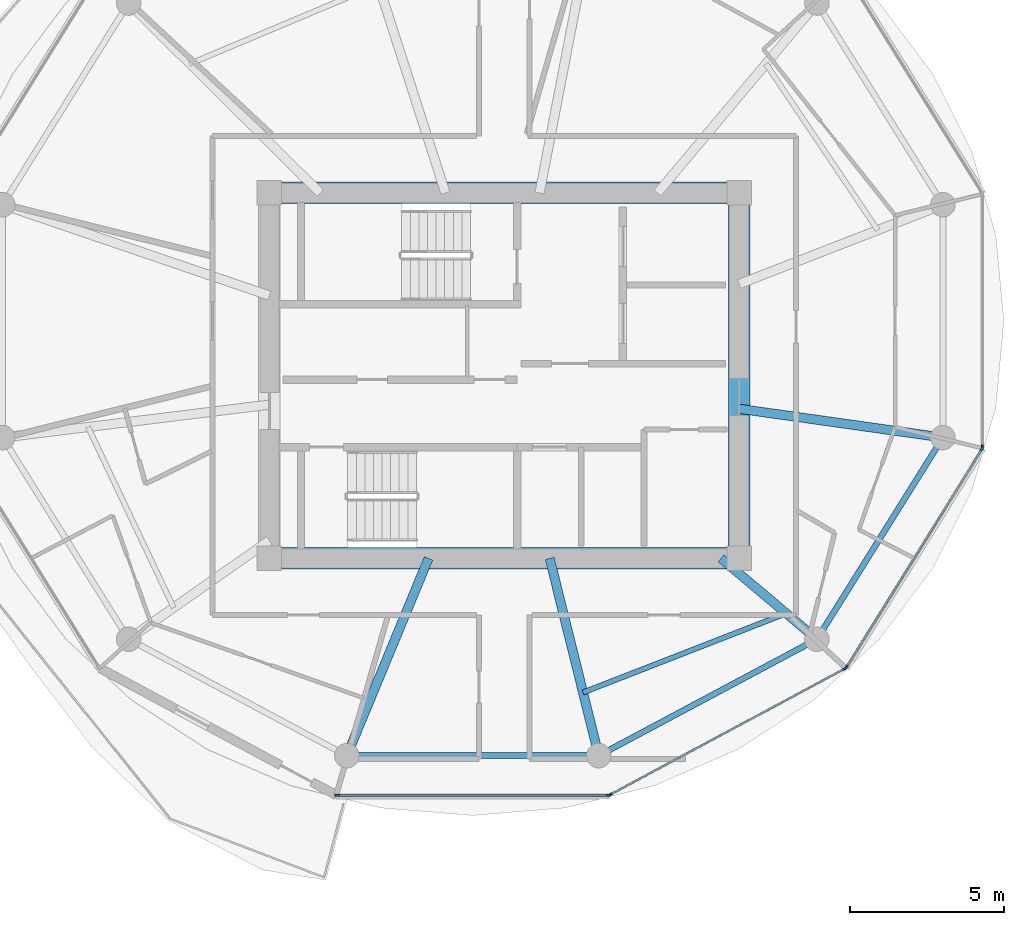
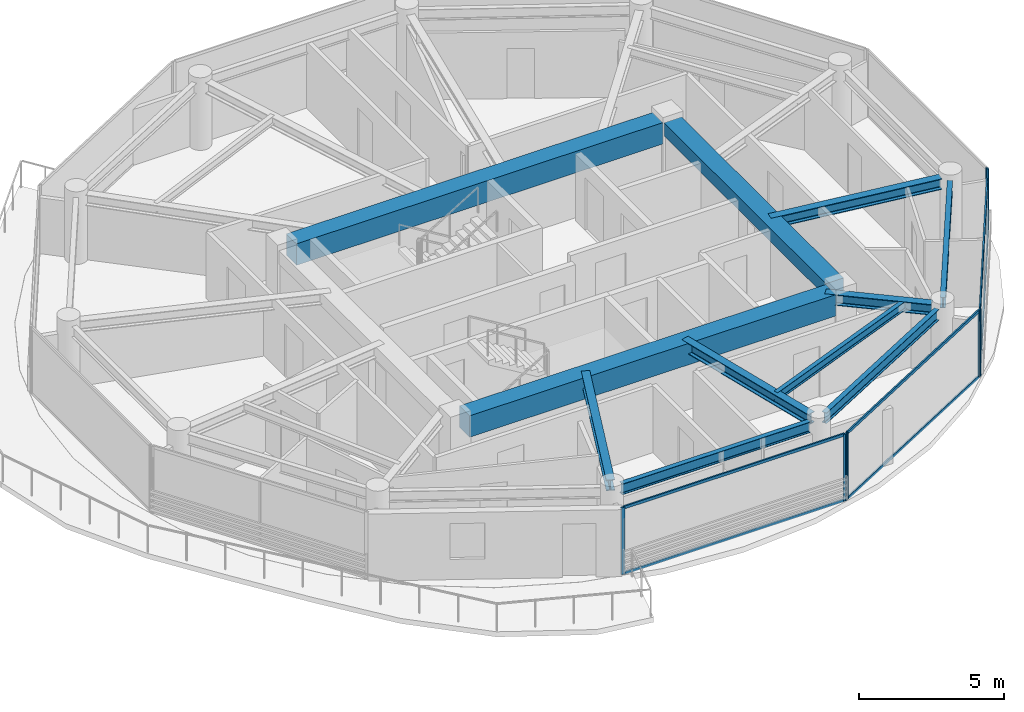
# One storey, part 10 of 22: 13 members, 11 beams, 4 elements without a shape of their own.
"""IFC4 building model written with IfcOpenShell, lengths in metres."""

from ifc_helpers import new_model, si_unit, direction, frame, origin, origin_2d, place, context, subcontext, project, spatial, rectangle, i_section, extrude, source, transform, mapped, material, layer, layer_set, material_profile, profile_set, type_object, type_shapes, element, aggregate, save


model = new_model("IFC4")

# Units and contexts
model_context = context("Model", 3, precision=1e-05, world=origin(), true_north=direction((0.0, 1.0)))
body_context = subcontext(model_context, "Body", "Model", "MODEL_VIEW")
ifc_project = project(units=[si_unit("LENGTHUNIT", "METRE"), si_unit("AREAUNIT", "SQUARE_METRE"), si_unit("VOLUMEUNIT", "CUBIC_METRE"), si_unit("PLANEANGLEUNIT", "RADIAN"), si_unit("MASSUNIT", "GRAM", prefix="KILO")], contexts=[model_context])

# Site, building, storey
site_placement = place(None, origin())
site = spatial("IfcSite", under=ifc_project, at=site_placement, CompositionType="ELEMENT")
building_placement = place(site_placement, origin())
building = spatial("IfcBuilding", under=site, at=building_placement, Name="Norrkilde Senior Care Towers", CompositionType="ELEMENT")
storey_placement = place(building_placement, frame((0.0, 0.0, 137.35009765625)))
storey = spatial("IfcBuildingStorey", under=building, at=storey_placement, Name="L42", CompositionType="ELEMENT", Elevation=137.35009765625)

# Beams
ifc_material_1 = material(Name="Concrete C60/75", Category="concrete")
ifc_material_profile_1 = material_profile(ifc_material_1, rectangle(XDim=0.699951171875, YDim=0.89990234375, at=origin_2d()), Name="RC BM 700x900")
ifc_profile_set_1 = profile_set([ifc_material_profile_1], Name="Concrete C60/75")
beam_type_1 = type_object("IfcBeamType", Name="Core Coupling Girder 700x900", PredefinedType="USERDEFINED", material=ifc_profile_set_1)
shared_shape_1 = source(origin(), body_context, "Body", "SweptSolid", [
    extrude(rectangle(XDim=0.699951171875, YDim=0.89990234375, at=origin_2d()), origin(), (0.0, 0.0, 1.0), 14.5400390625),
])
type_shapes(beam_type_1, [shared_shape_1])
for number, where, z_axis, x_axis, name in (
    (1, (20.72998046875, 5.949951171875, 2.35986328125), (1.0, 0.0, 0.0), (0.0, 1.0, 0.0), "L42 Core E N Coupling Girder"),
    (2, (20.72998046875, -5.949951171875, 2.35986328125), (1.0, 0.0, 0.0), (0.0, 1.0, 0.0), "L42 Core E S Coupling Girder"),
):
    element("IfcBeam", number, at=place(storey_placement, frame(where, z_axis=z_axis, x_axis=x_axis)), inside=storey, type_object=beam_type_1, Name=name, ObjectType="GIRDER", PredefinedType="USERDEFINED", context=body_context, shape_type="MappedRepresentation", body=[
        mapped(shared_shape_1, transform((0.0, 0.0, 0.0), x_axis=(1.0, 0.0, 0.0), y_axis=(0.0, 1.0, 0.0), z_axis=(0.0, 0.0, 1.0), scale=1.0)),
    ])
ifc_material_profile_2 = material_profile(ifc_material_1, rectangle(XDim=0.699951171875, YDim=0.550048828125, at=origin_2d()), Name="RC BM 700x550")
ifc_profile_set_2 = profile_set([ifc_material_profile_2], Name="Concrete C60/75")
beam_type_2 = type_object("IfcBeamType", Name="Core Portal Coupling Beam 700x550", PredefinedType="USERDEFINED", material=ifc_profile_set_2)
shared_shape_2 = source(origin(), body_context, "Body", "SweptSolid", [
    extrude(rectangle(XDim=0.699951171875, YDim=0.550048828125, at=origin_2d()), origin(), (0.0, 0.0, 1.0), 11.14013671875),
])
type_shapes(beam_type_2, [shared_shape_2])
beam_1_placement = place(storey_placement, frame((35.64990234375, -5.570068359375, 2.534912109375), z_axis=(0.0, 1.0, 0.0), x_axis=(-1.0, 0.0, 0.0)))
element("IfcBeam", 3, at=beam_1_placement, inside=storey, type_object=beam_type_2, Name="L42 Core E E Coupling Girder", ObjectType="GIRDER", PredefinedType="USERDEFINED", context=body_context, shape_type="MappedRepresentation", body=[
    mapped(shared_shape_2, transform((0.0, 0.0, 0.0), x_axis=(1.0, 0.0, 0.0), y_axis=(0.0, 1.0, 0.0), z_axis=(0.0, 0.0, 1.0), scale=1.0)),
])
ifc_material_2 = material(Name="Steel S355", Category="steel")
ifc_material_profile_3 = material_profile(ifc_material_2, i_section(OverallWidth=0.18994140625, OverallDepth=0.449951171875, WebThickness=0.009521484375, FlangeThickness=0.0146484375, FilletRadius=0.02099609375, at=origin_2d()), Name="IPE 450")
ifc_profile_set_3 = profile_set([ifc_material_profile_3], Name="Steel S355")
beam_type_3 = type_object("IfcBeamType", Name="Perimeter Ring Spandrel Z3 IPE450", PredefinedType="SPANDREL", material=ifc_profile_set_3)
shared_shape_3 = source(origin(), body_context, "Body", "SweptSolid", [
    extrude(i_section(OverallWidth=0.18994140625, OverallDepth=0.449951171875, WebThickness=0.009521484375, FlangeThickness=0.0146484375, FilletRadius=0.02099609375, at=origin_2d()), origin(), (0.0, 0.0, 1.0), 7.484619140625),
])
beam_2_placement = place(storey_placement, frame((23.232666015625, -12.37548828125, 2.5849609375), z_axis=(1.0, 0.0, 0.0), x_axis=(0.0, 1.0, 0.0)))
element("IfcBeam", 4, at=beam_2_placement, inside=storey, type_object=beam_type_3, Name="L42 Drum E Perimeter Spandrel 09", PredefinedType="SPANDREL", context=body_context, shape_type="MappedRepresentation", body=[
    mapped(shared_shape_3, transform((0.0, 0.0, 0.0), x_axis=(1.0, 0.0, 0.0), y_axis=(0.0, 1.0, 0.0), z_axis=(0.0, 0.0, 1.0), scale=1.0)),
])
shared_shape_4 = source(origin(), body_context, "Body", "SweptSolid", [
    extrude(i_section(OverallWidth=0.18994140625, OverallDepth=0.449951171875, WebThickness=0.009521484375, FlangeThickness=0.0146484375, FilletRadius=0.02099609375, at=origin_2d()), origin(), (0.0, 0.0, 1.0), 7.023193359375),
])
beam_3_placement = place(storey_placement, frame((38.373291015625, -8.2783203125, 2.5849609375), z_axis=(0.529805197269, 0.848119362441, 0.0), x_axis=(-0.848119362441, 0.529805197269, 0.0)))
element("IfcBeam", 5, at=beam_3_placement, inside=storey, type_object=beam_type_3, Name="L42 Drum E Perimeter Spandrel 11", PredefinedType="SPANDREL", context=body_context, shape_type="MappedRepresentation", body=[
    mapped(shared_shape_4, transform((0.0, 0.0, 0.0), x_axis=(1.0, 0.0, 0.0), y_axis=(0.0, 1.0, 0.0), z_axis=(0.0, 0.0, 1.0), scale=1.0)),
])
ifc_material_profile_4 = material_profile(ifc_material_2, i_section(OverallWidth=0.300048828125, OverallDepth=0.449951171875, WebThickness=0.013916015625, FlangeThickness=0.02587890625, FilletRadius=0.027099609375, at=origin_2d()), Name="HEB 450")
ifc_profile_set_4 = profile_set([ifc_material_profile_4], Name="Steel S355")
beam_type_4 = type_object("IfcBeamType", Name="Radial Floor Beam Z3 HEB450", PredefinedType="BEAM", material=ifc_profile_set_4)
shared_shape_5 = source(origin(), body_context, "Body", "SweptSolid", [
    extrude(i_section(OverallWidth=0.300048828125, OverallDepth=0.449951171875, WebThickness=0.013916015625, FlangeThickness=0.02587890625, FilletRadius=0.027099609375, at=origin_2d()), origin(), (0.0, 0.0, 1.0), 6.3408203125),
])
beam_4_placement = place(storey_placement, frame((35.64990234375, -1.079833984375, 2.5849609375), z_axis=(0.990184519576, -0.139766294905, 0.0), x_axis=(0.139766294905, 0.990184519576, 0.0)))
element("IfcBeam", 6, at=beam_4_placement, inside=storey, type_object=beam_type_4, Name="L42 Drum E Radial Floor Beam 12", PredefinedType="BEAM", context=body_context, shape_type="MappedRepresentation", body=[
    mapped(shared_shape_5, transform((0.0, 0.0, 0.0), x_axis=(1.0, 0.0, 0.0), y_axis=(0.0, 1.0, 0.0), z_axis=(0.0, 0.0, 1.0), scale=1.0)),
])
shared_shape_6 = source(origin(), body_context, "Body", "SweptSolid", [
    extrude(i_section(OverallWidth=0.18994140625, OverallDepth=0.449951171875, WebThickness=0.009521484375, FlangeThickness=0.0146484375, FilletRadius=0.02099609375, at=origin_2d()), origin(), (0.0, 0.0, 1.0), 7.333984375),
])
type_shapes(beam_type_3, [shared_shape_3, shared_shape_4, shared_shape_6])
beam_5_placement = place(storey_placement, frame((31.394775390625, -12.2060546875, 2.5849609375), z_axis=(0.882234038987, 0.470811109101, 0.0), x_axis=(-0.470811109101, 0.882234038987, 0.0)))
element("IfcBeam", 7, at=beam_5_placement, inside=storey, type_object=beam_type_3, Name="L42 Drum E Perimeter Spandrel 10", PredefinedType="SPANDREL", context=body_context, shape_type="MappedRepresentation", body=[
    mapped(shared_shape_6, transform((0.0, 0.0, 0.0), x_axis=(1.0, 0.0, 0.0), y_axis=(0.0, 1.0, 0.0), z_axis=(0.0, 0.0, 1.0), scale=1.0)),
])
shared_shape_7 = source(origin(), body_context, "Body", "SweptSolid", [
    extrude(i_section(OverallWidth=0.300048828125, OverallDepth=0.449951171875, WebThickness=0.013916015625, FlangeThickness=0.02587890625, FilletRadius=0.027099609375, at=origin_2d()), origin(), (0.0, 0.0, 1.0), 3.7265625),
])
beam_6_placement = place(storey_placement, frame((35.058349609375, -5.949951171875, 2.5849609375), z_axis=(0.764567902106, -0.644543189453, 0.0), x_axis=(0.644543189453, 0.764567902106, 0.0)))
element("IfcBeam", 8, at=beam_6_placement, inside=storey, type_object=beam_type_4, Name="L42 Drum E Radial Floor Beam 11", PredefinedType="BEAM", context=body_context, shape_type="MappedRepresentation", body=[
    mapped(shared_shape_7, transform((0.0, 0.0, 0.0), x_axis=(1.0, 0.0, 0.0), y_axis=(0.0, 1.0, 0.0), z_axis=(0.0, 0.0, 1.0), scale=1.0)),
])
shared_shape_8 = source(origin(), body_context, "Body", "SweptSolid", [
    extrude(i_section(OverallWidth=0.300048828125, OverallDepth=0.449951171875, WebThickness=0.013916015625, FlangeThickness=0.02587890625, FilletRadius=0.027099609375, at=origin_2d()), origin(), (0.0, 0.0, 1.0), 6.26123046875),
])
beam_7_placement = place(storey_placement, frame((29.4794921875, -5.949951171875, 2.5849609375), z_axis=(0.241324375921, -0.970444509277, 0.0), x_axis=(0.970444509277, 0.241324375921, 0.0)))
element("IfcBeam", 9, at=beam_7_placement, inside=storey, type_object=beam_type_4, Name="L42 Drum E Radial Floor Beam 10", PredefinedType="BEAM", context=body_context, shape_type="MappedRepresentation", body=[
    mapped(shared_shape_8, transform((0.0, 0.0, 0.0), x_axis=(1.0, 0.0, 0.0), y_axis=(0.0, 1.0, 0.0), z_axis=(0.0, 0.0, 1.0), scale=1.0)),
])
shared_shape_9 = source(origin(), body_context, "Body", "SweptSolid", [
    extrude(i_section(OverallWidth=0.300048828125, OverallDepth=0.449951171875, WebThickness=0.013916015625, FlangeThickness=0.02587890625, FilletRadius=0.027099609375, at=origin_2d()), origin(), (0.0, 0.0, 1.0), 6.59521484375),
])
type_shapes(beam_type_4, [shared_shape_5, shared_shape_7, shared_shape_8, shared_shape_9])
beam_8_placement = place(storey_placement, frame((25.534912109375, -5.949951171875, 2.5849609375), z_axis=(-0.382761541363, -0.923847174836, 0.0), x_axis=(0.923847174836, -0.382761541363, 0.0)))
element("IfcBeam", 10, at=beam_8_placement, inside=storey, type_object=beam_type_4, Name="L42 Drum E Radial Floor Beam 09", PredefinedType="BEAM", context=body_context, shape_type="MappedRepresentation", body=[
    mapped(shared_shape_9, transform((0.0, 0.0, 0.0), x_axis=(1.0, 0.0, 0.0), y_axis=(0.0, 1.0, 0.0), z_axis=(0.0, 0.0, 1.0), scale=1.0)),
])
ifc_material_profile_5 = material_profile(ifc_material_2, i_section(OverallWidth=0.169921875, OverallDepth=0.360107421875, WebThickness=0.008056640625, FlangeThickness=0.0126953125, FilletRadius=0.01806640625, at=origin_2d()), Name="IPE 360")
ifc_profile_set_5 = profile_set([ifc_material_profile_5], Name="Steel S355")
beam_type_5 = type_object("IfcBeamType", Name="Secondary Floor Joist IPE360", PredefinedType="JOIST", material=ifc_profile_set_5)
shared_shape_10 = source(origin(), body_context, "Body", "SweptSolid", [
    extrude(i_section(OverallWidth=0.169921875, OverallDepth=0.360107421875, WebThickness=0.008056640625, FlangeThickness=0.0126953125, FilletRadius=0.01806640625, at=origin_2d()), origin(), (0.0, 0.0, 1.0), 7.1015625),
])
type_shapes(beam_type_5, [shared_shape_10])
beam_9_placement = place(storey_placement, frame((30.56591796875, -10.3193359375, 2.6298828125), z_axis=(0.931761231292, 0.363071629106, 0.0), x_axis=(-0.363071629106, 0.931761231292, 0.0)))
element("IfcBeam", 11, at=beam_9_placement, inside=storey, type_object=beam_type_5, Name="L42 Drum E Secondary Floor Joist 4", PredefinedType="JOIST", context=body_context, shape_type="MappedRepresentation", body=[
    mapped(shared_shape_10, transform((0.0, 0.0, 0.0), x_axis=(1.0, 0.0, 0.0), y_axis=(0.0, 1.0, 0.0), z_axis=(0.0, 0.0, 1.0), scale=1.0)),
])

# Curtain wall, members
ifc_material_3 = material(Name="Triple Low-E Insulated Glazing", Category="glass")
ifc_layer = layer(ifc_material_3, 0.18994140625)
ifc_layer_set = layer_set([ifc_layer], Name="Triple Low-E Insulated Glazing")
curtain_wall_type = type_object("IfcCurtainWallType", Name="CW4 Zone 3 Senior Residence Curtain Wall", PredefinedType="NOTDEFINED", material=ifc_layer_set)
curtain_wall_1_placement = place(storey_placement, origin())
curtain_wall_1 = element("IfcCurtainWall", 12, at=curtain_wall_1_placement, inside=storey, type_object=curtain_wall_type, Name="L42 Drum E Curtain Wall 10", PredefinedType="NOTDEFINED")
ifc_material_4 = material(Name="Anodised Aluminium", Category="aluminium")
ifc_material_profile_6 = material_profile(ifc_material_4, rectangle(XDim=0.06005859375, YDim=0.1201171875, at=origin_2d()), Name="ALU TRAN 60x120")
ifc_profile_set_6 = profile_set([ifc_material_profile_6], Name="Anodised Aluminium")
member_type_1 = type_object("IfcMemberType", Name="Curtain Wall Transom Typical 60x120", PredefinedType="USERDEFINED", material=ifc_profile_set_6)
shared_shape_11 = source(origin(), body_context, "Body", "SweptSolid", [
    extrude(rectangle(XDim=0.06005859375, YDim=0.1201171875, at=origin_2d()), origin(), (0.0, 0.0, 1.0), 8.301513671875),
])
member_1_placement = place(storey_placement, frame((43.535400390625, -2.415771484375, 0.02978515625), z_axis=(-0.527368718394, -0.849636531029, 0.0), x_axis=(0.849636531029, -0.527368718394, 0.0)))
member_1 = element("IfcMember", 13, at=member_1_placement, type_object=member_type_1, Name="CW-4 transom 1.1", ObjectType="TRANSOM", PredefinedType="USERDEFINED", context=body_context, shape_type="MappedRepresentation", body=[
    mapped(shared_shape_11, transform((0.0, 0.0, 0.0), x_axis=(1.0, 0.0, 0.0), y_axis=(0.0, 1.0, 0.0), z_axis=(0.0, 0.0, 1.0), scale=1.0)),
])
member_2_placement = place(storey_placement, frame((43.535400390625, -2.415771484375, 2.77978515625), z_axis=(-0.527368718394, -0.849636531029, 0.0), x_axis=(0.849636531029, -0.527368718394, 0.0)))
member_2 = element("IfcMember", 14, at=member_2_placement, type_object=member_type_1, Name="CW-4 transom 1.2", ObjectType="TRANSOM", PredefinedType="USERDEFINED", context=body_context, shape_type="MappedRepresentation", body=[
    mapped(shared_shape_11, transform((0.0, 0.0, 0.0), x_axis=(1.0, 0.0, 0.0), y_axis=(0.0, 1.0, 0.0), z_axis=(0.0, 0.0, 1.0), scale=1.0)),
])

curtain_wall_2_placement = place(storey_placement, origin())
curtain_wall_2 = element("IfcCurtainWall", 15, at=curtain_wall_2_placement, inside=storey, type_object=curtain_wall_type, Name="L42 Drum E Curtain Wall 08", PredefinedType="NOTDEFINED")
shared_shape_12 = source(origin(), body_context, "Body", "SweptSolid", [
    extrude(rectangle(XDim=0.06005859375, YDim=0.1201171875, at=origin_2d()), origin(), (0.0, 0.0, 1.0), 8.762939453125),
])
member_3_placement = place(storey_placement, frame((31.3564453125, -13.66015625, 0.02978515625), z_axis=(-1.0, 0.0, 0.0), x_axis=(0.0, -1.0, 0.0)))
member_3 = element("IfcMember", 16, at=member_3_placement, type_object=member_type_1, Name="CW-4 transom 1.1", ObjectType="TRANSOM", PredefinedType="USERDEFINED", context=body_context, shape_type="MappedRepresentation", body=[
    mapped(shared_shape_12, transform((0.0, 0.0, 0.0), x_axis=(1.0, 0.0, 0.0), y_axis=(0.0, 1.0, 0.0), z_axis=(0.0, 0.0, 1.0), scale=1.0)),
])
member_4_placement = place(storey_placement, frame((31.3564453125, -13.66015625, 2.77978515625), z_axis=(-1.0, 0.0, 0.0), x_axis=(0.0, -1.0, 0.0)))
member_4 = element("IfcMember", 17, at=member_4_placement, type_object=member_type_1, Name="CW-4 transom 1.2", ObjectType="TRANSOM", PredefinedType="USERDEFINED", context=body_context, shape_type="MappedRepresentation", body=[
    mapped(shared_shape_12, transform((0.0, 0.0, 0.0), x_axis=(1.0, 0.0, 0.0), y_axis=(0.0, 1.0, 0.0), z_axis=(0.0, 0.0, 1.0), scale=1.0)),
])

curtain_wall_3_placement = place(storey_placement, origin())
curtain_wall_3 = element("IfcCurtainWall", 18, at=curtain_wall_3_placement, inside=storey, type_object=curtain_wall_type, Name="L42 Drum E Curtain Wall 09", PredefinedType="NOTDEFINED")
shared_shape_13 = source(origin(), body_context, "Body", "SweptSolid", [
    extrude(rectangle(XDim=0.06005859375, YDim=0.1201171875, at=origin_2d()), origin(), (0.0, 0.0, 1.0), 8.612060546875),
])
type_shapes(member_type_1, [shared_shape_11, shared_shape_12, shared_shape_13])
member_5_placement = place(storey_placement, frame((39.06591796875, -9.554931640625, 0.02978515625), z_axis=(-0.881000337462, -0.473115636384, 0.0), x_axis=(0.473115636384, -0.881000337462, 0.0)))
member_5 = element("IfcMember", 19, at=member_5_placement, type_object=member_type_1, Name="CW-4 transom 1.1", ObjectType="TRANSOM", PredefinedType="USERDEFINED", context=body_context, shape_type="MappedRepresentation", body=[
    mapped(shared_shape_13, transform((0.0, 0.0, 0.0), x_axis=(1.0, 0.0, 0.0), y_axis=(0.0, 1.0, 0.0), z_axis=(0.0, 0.0, 1.0), scale=1.0)),
])
member_6_placement = place(storey_placement, frame((39.06591796875, -9.554931640625, 2.77978515625), z_axis=(-0.881000337462, -0.473115636384, 0.0), x_axis=(0.473115636384, -0.881000337462, 0.0)))
member_6 = element("IfcMember", 20, at=member_6_placement, type_object=member_type_1, Name="CW-4 transom 1.2", ObjectType="TRANSOM", PredefinedType="USERDEFINED", context=body_context, shape_type="MappedRepresentation", body=[
    mapped(shared_shape_13, transform((0.0, 0.0, 0.0), x_axis=(1.0, 0.0, 0.0), y_axis=(0.0, 1.0, 0.0), z_axis=(0.0, 0.0, 1.0), scale=1.0)),
])

# Member
ifc_material_profile_7 = material_profile(ifc_material_4, rectangle(XDim=0.06494140625, YDim=0.14990234375, at=origin_2d()), Name="ALU MULL 65x150")
ifc_profile_set_7 = profile_set([ifc_material_profile_7], Name="Anodised Aluminium")
member_type_2 = type_object("IfcMemberType", Name="Curtain Wall Mullion Z3-Z4 65x150", PredefinedType="MULLION", material=ifc_profile_set_7)
shared_shape_14 = source(origin(), body_context, "Body", "SweptSolid", [
    extrude(rectangle(XDim=0.06494140625, YDim=0.14990234375, at=origin_2d()), origin(), (0.0, 0.0, 1.0), 2.809814453125),
])
type_shapes(member_type_2, [shared_shape_14])
member_7_placement = place(storey_placement, frame((31.388916015625, -13.66015625, 0.0), z_axis=(0.0, 0.0, 1.0), x_axis=(0.0, -1.0, 0.0)))
member_7 = element("IfcMember", 21, at=member_7_placement, type_object=member_type_2, Name="CW-4 mullion 1", PredefinedType="MULLION", context=body_context, shape_type="MappedRepresentation", body=[
    mapped(shared_shape_14, transform((0.0, 0.0, 0.0), x_axis=(1.0, 0.0, 0.0), y_axis=(0.0, 1.0, 0.0), z_axis=(0.0, 0.0, 1.0), scale=1.0)),
])

member_8_placement = place(storey_placement, frame((22.56103515625, -13.66015625, 0.0), z_axis=(0.0, 0.0, 1.0), x_axis=(0.0, -1.0, 0.0)))
member_8 = element("IfcMember", 22, at=member_8_placement, type_object=member_type_2, Name="CW-4 mullion 2", PredefinedType="MULLION", context=body_context, shape_type="MappedRepresentation", body=[
    mapped(shared_shape_14, transform((0.0, 0.0, 0.0), x_axis=(1.0, 0.0, 0.0), y_axis=(0.0, 1.0, 0.0), z_axis=(0.0, 0.0, 1.0), scale=1.0)),
])

aggregate(curtain_wall_2, [member_7, member_8, member_3, member_4])

member_9_placement = place(storey_placement, frame((39.094482421875, -9.53955078125, 0.0), z_axis=(0.0, 0.0, 1.0), x_axis=(0.47311715104, -0.880999524059, 0.0)))
member_9 = element("IfcMember", 23, at=member_9_placement, type_object=member_type_2, Name="CW-4 mullion 1", PredefinedType="MULLION", context=body_context, shape_type="MappedRepresentation", body=[
    mapped(shared_shape_14, transform((0.0, 0.0, 0.0), x_axis=(1.0, 0.0, 0.0), y_axis=(0.0, 1.0, 0.0), z_axis=(0.0, 0.0, 1.0), scale=1.0)),
])

member_10_placement = place(storey_placement, frame((31.4501953125, -13.644775390625, 0.0), z_axis=(0.0, 0.0, 1.0), x_axis=(0.47311715104, -0.880999524059, 0.0)))
member_10 = element("IfcMember", 24, at=member_10_placement, type_object=member_type_2, Name="CW-4 mullion 2", PredefinedType="MULLION", context=body_context, shape_type="MappedRepresentation", body=[
    mapped(shared_shape_14, transform((0.0, 0.0, 0.0), x_axis=(1.0, 0.0, 0.0), y_axis=(0.0, 1.0, 0.0), z_axis=(0.0, 0.0, 1.0), scale=1.0)),
])

aggregate(curtain_wall_3, [member_9, member_10, member_5, member_6])

member_11_placement = place(storey_placement, frame((43.552490234375, -2.38818359375, 0.0), z_axis=(0.0, 0.0, 1.0), x_axis=(0.84963405474, -0.52737270789, 0.0)))
member_11 = element("IfcMember", 25, at=member_11_placement, type_object=member_type_2, Name="CW-4 mullion 1", PredefinedType="MULLION", context=body_context, shape_type="MappedRepresentation", body=[
    mapped(shared_shape_14, transform((0.0, 0.0, 0.0), x_axis=(1.0, 0.0, 0.0), y_axis=(0.0, 1.0, 0.0), z_axis=(0.0, 0.0, 1.0), scale=1.0)),
])

member_12_placement = place(storey_placement, frame((39.14013671875, -9.49658203125, 0.0), z_axis=(0.0, 0.0, 1.0), x_axis=(0.84963405474, -0.52737270789, 0.0)))
member_12 = element("IfcMember", 26, at=member_12_placement, type_object=member_type_2, Name="CW-4 mullion 2", PredefinedType="MULLION", context=body_context, shape_type="MappedRepresentation", body=[
    mapped(shared_shape_14, transform((0.0, 0.0, 0.0), x_axis=(1.0, 0.0, 0.0), y_axis=(0.0, 1.0, 0.0), z_axis=(0.0, 0.0, 1.0), scale=1.0)),
])

aggregate(curtain_wall_1, [member_11, member_12, member_1, member_2])

# Curtain wall, member
curtain_wall_4_placement = place(storey_placement, origin())
curtain_wall_4 = element("IfcCurtainWall", 27, at=curtain_wall_4_placement, inside=storey, type_object=curtain_wall_type, Name="L42 Drum E Curtain Wall 11", PredefinedType="NOTDEFINED")
member_13_placement = place(storey_placement, frame((43.569580078125, -2.328125, 0.0), z_axis=(0.0, 0.0, 1.0), x_axis=(1.0, 0.0, 0.0)))
member_13 = element("IfcMember", 28, at=member_13_placement, type_object=member_type_2, Name="CW-4 mullion 2", PredefinedType="MULLION", context=body_context, shape_type="MappedRepresentation", body=[
    mapped(shared_shape_14, transform((0.0, 0.0, 0.0), x_axis=(1.0, 0.0, 0.0), y_axis=(0.0, 1.0, 0.0), z_axis=(0.0, 0.0, 1.0), scale=1.0)),
])
aggregate(curtain_wall_4, [member_13])

save(model, "model.ifc")
